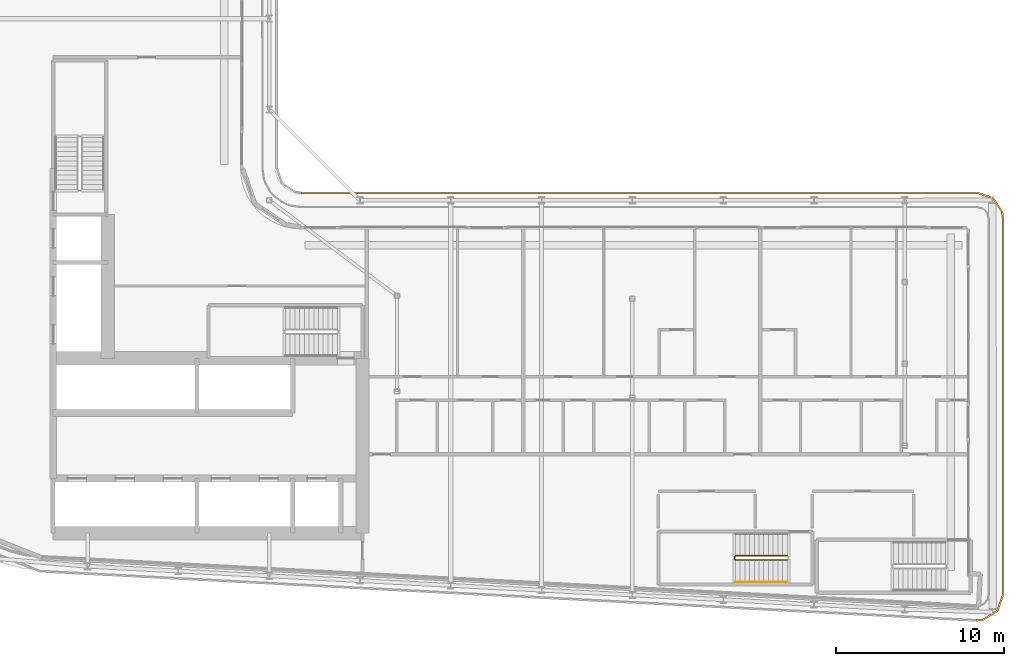
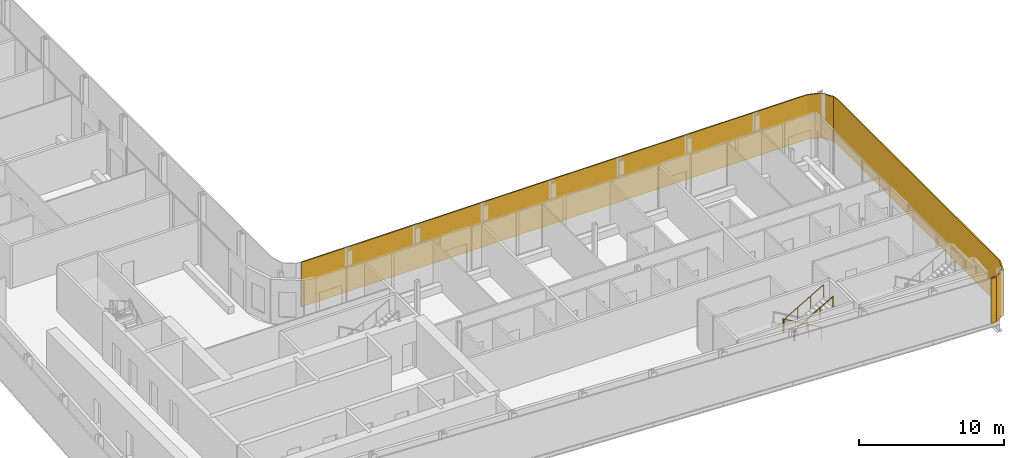
# One storey, part 22 of 26: 2 railings, 1 shading device.
"""IFC4 building model written with IfcOpenShell, lengths in metres."""

import ifcopenshell
import ifcopenshell.guid

model = None  # the IFC model being written
_history = None  # IfcOwnerHistory: only IFC2X3 demands one
_inside = {}  # id of a spatial element -> (the spatial element, [elements in it])
_under = {}  # id of a project, library or spatial element -> (it, [spatial elements below it])
_declared = {}  # id of a project -> (the project, [libraries it declares])
_typed = {}  # id of a type object -> (the type object, [elements of that type])
_made_of = {}  # id of a material, layer set ... -> (it, [elements and type objects made of it])


def new_model(schema):
    """Start an empty IFC model of exactly this schema.

    Asked for "IFC4X3", IfcOpenShell would pick the latest addendum, in which some entities
    have other attributes; the version numbers below select the first issue.
    IFC2X3 requires an IfcOwnerHistory on every rooted entity: one is made here for all.
    """
    global model, _history
    if schema == "IFC4X3":
        model = ifcopenshell.file(schema_version=(4, 3, 0, 0))
    else:
        model = ifcopenshell.file(schema=schema)
    _inside.clear()
    _under.clear()
    _declared.clear()
    _typed.clear()
    _made_of.clear()
    _history = None
    if model.schema == "IFC2X3":
        org = make("IfcOrganization", Name="unknown")
        user = make(
            "IfcPersonAndOrganization",
            ThePerson=make("IfcPerson", FamilyName="unknown"),
            TheOrganization=org,
        )
        app = make(
            "IfcApplication",
            ApplicationDeveloper=org,
            Version="unknown",
            ApplicationFullName="unknown",
            ApplicationIdentifier="unknown",
        )
        _history = make(
            "IfcOwnerHistory",
            OwningUser=user,
            OwningApplication=app,
            ChangeAction="ADDED",
            CreationDate=0,
        )
    return model


def make(cls, **values):
    """One entity of the class cls with the attributes given. An attribute that is None is left unset."""
    return model.create_entity(
        cls, **{name: value for name, value in values.items() if value is not None}
    )


def rooted(cls, **values):
    """An entity with a GlobalId (a new one), such as an element, a storey or a relation."""
    return make(cls, GlobalId=ifcopenshell.guid.new(), OwnerHistory=_history, **values)


def si_unit(unit_type, name, prefix=None):
    """IfcSIUnit, for example si_unit("LENGTHUNIT", "METRE", prefix="MILLI")."""
    return make("IfcSIUnit", UnitType=unit_type, Prefix=prefix, Name=name)


def assignment(units):
    """IfcUnitAssignment: the units of a project."""
    return None if units is None else make("IfcUnitAssignment", Units=units)


def point(xyz):
    """IfcCartesianPoint."""
    return None if xyz is None else make("IfcCartesianPoint", Coordinates=xyz)


def direction(xyz):
    """IfcDirection."""
    return None if xyz is None else make("IfcDirection", DirectionRatios=xyz)


def frame(location, z_axis=None, x_axis=None):
    """IfcAxis2Placement3D, a coordinate frame: its origin and axes. An axis left out is left unset."""
    return make(
        "IfcAxis2Placement3D",
        Location=point(location),
        Axis=direction(z_axis),
        RefDirection=direction(x_axis),
    )


def frame_2d(location, x_axis=None):
    """IfcAxis2Placement2D, a coordinate frame in the plane: its origin and x axis."""
    return make(
        "IfcAxis2Placement2D", Location=point(location), RefDirection=direction(x_axis)
    )


def origin():
    """The frame at (0, 0, 0) with its axes left unset."""
    return frame((0.0, 0.0, 0.0))


def origin_2d():
    """The frame at (0, 0) in the plane with its x axis left unset."""
    return frame_2d((0.0, 0.0))


def place(relative_to, where):
    """IfcLocalPlacement: puts the frame where relative to a parent placement (None: the world)."""
    return make(
        "IfcLocalPlacement", PlacementRelTo=relative_to, RelativePlacement=where
    )


def context(
    kind, dimensions, precision=None, world=None, true_north=None, identifier=None
):
    """IfcGeometricRepresentationContext, for example the 3D "Model" context."""
    return make(
        "IfcGeometricRepresentationContext",
        ContextIdentifier=identifier,
        ContextType=kind,
        CoordinateSpaceDimension=dimensions,
        Precision=precision,
        WorldCoordinateSystem=world,
        TrueNorth=true_north,
    )


def subcontext(parent, identifier, kind, view, scale=None):
    """IfcGeometricRepresentationSubContext, for example "Body" below "Model"."""
    return make(
        "IfcGeometricRepresentationSubContext",
        ContextIdentifier=identifier,
        ContextType=kind,
        ParentContext=parent,
        TargetScale=scale,
        TargetView=view,
    )


def project(units=None, contexts=None):
    """IfcProject with its units and contexts."""
    return rooted(
        "IfcProject",
        Name="project",
        RepresentationContexts=contexts,
        UnitsInContext=assignment(units),
    )


def spatial(cls, under=None, at=None, **own):
    """A site, building, storey or space (cls), placed at a placement, below another one or the project."""
    s = rooted(cls, ObjectPlacement=at, **own)
    if under is not None:
        _under.setdefault(under.id(), (under, []))[1].append(s)
    return s


def polyline(points):
    """IfcPolyline through the points."""
    return make("IfcPolyline", Points=[point(p) for p in points])


def profile(cls, at=None, kind="AREA", **sizes):
    """A parametric profile (cls). Its sizes go by their IFC names, for example OverallWidth=200.0."""
    return make(cls, ProfileType=kind, Position=at, **sizes)


def circle(**sizes):
    """IfcCircleProfileDef."""
    return profile("IfcCircleProfileDef", **sizes)


def outline(outer, holes=None, kind="AREA"):
    """IfcArbitraryClosedProfileDef: a profile drawn as a closed curve; with holes, ...WithVoids."""
    if holes is None:
        return make("IfcArbitraryClosedProfileDef", ProfileType=kind, OuterCurve=outer)
    return make(
        "IfcArbitraryProfileDefWithVoids",
        ProfileType=kind,
        OuterCurve=outer,
        InnerCurves=holes,
    )


def extrude(swept, where, along, depth):
    """IfcExtrudedAreaSolid: the profile swept, set in the frame where, extruded along a direction by depth."""
    return make(
        "IfcExtrudedAreaSolid",
        SweptArea=swept,
        Position=where,
        ExtrudedDirection=direction(along),
        Depth=depth,
    )


def shape(context_of_items, identifier, shape_type, items):
    """IfcShapeRepresentation: the items that make up one representation, for example the "Body"."""
    return make(
        "IfcShapeRepresentation",
        ContextOfItems=context_of_items,
        RepresentationIdentifier=identifier,
        RepresentationType=shape_type,
        Items=items,
    )


def material(Name=None, Category=None):
    """IfcMaterial."""
    return make("IfcMaterial", Name=Name, Category=Category)


def layer(
    of_material, thickness, ventilated=None, Name=None, Category=None, Priority=None
):
    """IfcMaterialLayer: one layer of a wall or slab, of a material (None: an air gap)."""
    return make(
        "IfcMaterialLayer",
        Material=of_material,
        LayerThickness=thickness,
        IsVentilated=ventilated,
        Name=Name,
        Category=Category,
        Priority=Priority,
    )


def layer_set(layers, Name=None):
    """IfcMaterialLayerSet."""
    return make("IfcMaterialLayerSet", MaterialLayers=layers, LayerSetName=Name)


def made_of(thing, what):
    """Note that an element or type object is made of a material, layer set ...; save() writes the relation."""
    if what is not None:
        _made_of.setdefault(what.id(), (what, []))[1].append(thing)
    return thing


def type_object(cls, material=None, **own):
    """A type object (cls), such as IfcWallType, which elements share."""
    return made_of(rooted(cls, **own), material)


def element(
    cls,
    number,
    at=None,
    inside=None,
    cuts=None,
    type_object=None,
    material=None,
    context=None,
    identifier="Body",
    shape_type=None,
    held_by="IfcProductDefinitionShape",
    body=None,
    shapes=None,
    **own,
):
    """One element of the class cls, such as IfcWall. Its Tag is "e" and its number.

    at: its placement. inside: the storey or other place that contains it. cuts: it is an
    opening in that element (IfcRelVoidsElement). A single representation is given by context,
    identifier, shape_type and body (its items); several are given by shapes. held_by: the class
    of the entity that holds the representations. save() writes the other relations.
    """
    e = rooted(cls, Tag="e%d" % number, ObjectPlacement=at, **own)
    if body is not None:
        shapes = [shape(context, identifier, shape_type, body)]
    if shapes is not None:
        e.Representation = make(held_by, Representations=shapes)
    if inside is not None:
        _inside.setdefault(inside.id(), (inside, []))[1].append(e)
    if cuts is not None:
        rooted(
            "IfcRelVoidsElement", RelatingBuildingElement=cuts, RelatedOpeningElement=e
        )
    if type_object is not None:
        _typed.setdefault(type_object.id(), (type_object, []))[1].append(e)
    return made_of(e, material)


def aggregate(whole, parts):
    """IfcRelAggregates: a whole, such as a stair, and the parts it consists of."""
    return rooted("IfcRelAggregates", RelatingObject=whole, RelatedObjects=parts)


def save(model, path):
    """Write the relations noted so far, then the file.

    IfcRelAggregates (storeys below a building ...), IfcRelContainedInSpatialStructure (elements
    in a storey), IfcRelDefinesByType, IfcRelAssociatesMaterial and IfcRelDeclares: one each for
    every whole, place, type object, material and project.
    """
    for whole, parts in _under.values():
        aggregate(whole, parts)
    for where, things in _inside.values():
        rooted(
            "IfcRelContainedInSpatialStructure",
            RelatedElements=things,
            RelatingStructure=where,
        )
    for kind, things in _typed.values():
        rooted("IfcRelDefinesByType", RelatedObjects=things, RelatingType=kind)
    for what, things in _made_of.values():
        rooted("IfcRelAssociatesMaterial", RelatedObjects=things, RelatingMaterial=what)
    for by, libraries in _declared.values():
        rooted("IfcRelDeclares", RelatingContext=by, RelatedDefinitions=libraries)
    model.write(path)


model = new_model("IFC4")

# Units and contexts
model_context = context("Model", 3, precision=1e-05, world=origin(), true_north=direction((0.0, 1.0)))
body_context = subcontext(model_context, "Body", "Model", "MODEL_VIEW")
ifc_project = project(units=[si_unit("LENGTHUNIT", "METRE"), si_unit("AREAUNIT", "SQUARE_METRE"), si_unit("VOLUMEUNIT", "CUBIC_METRE"), si_unit("PLANEANGLEUNIT", "RADIAN"), si_unit("MASSUNIT", "GRAM", prefix="KILO")], contexts=[model_context])

# Site, building, storey
site_placement = place(None, origin())
site = spatial("IfcSite", under=ifc_project, at=site_placement, CompositionType="ELEMENT")
building_placement = place(site_placement, origin())
building = spatial("IfcBuilding", under=site, at=building_placement, Name="Kheshtan School and Residences Tower", CompositionType="ELEMENT")
storey_placement = place(building_placement, frame((0.0, 0.0, 156.5)))
storey = spatial("IfcBuildingStorey", under=building, at=storey_placement, Name="L36", CompositionType="ELEMENT", Elevation=156.5)

# Shading device
ifc_material_1 = material(Name="Terracotta lattice, extruded ceramic", Category="masonry")
ifc_layer = layer(ifc_material_1, 0.10009765625)
ifc_layer_set = layer_set([ifc_layer], Name="Loggia screen, terracotta lattice")
shading_device_type = type_object("IfcShadingDeviceType", Name="Loggia screen, terracotta lattice", PredefinedType="USERDEFINED", material=ifc_layer_set)
shading_device_placement = place(storey_placement, origin())
element("IfcShadingDevice", 1, at=shading_device_placement, inside=storey, type_object=shading_device_type, Name="Screen L36 2", ObjectType="SCREEN", PredefinedType="USERDEFINED", context=body_context, shape_type="SweptSolid", body=[
    extrude(outline(polyline([(49.5, 46.0), (89.699951171875, 46.0), (90.613037109375, 45.68994140625), (91.14892578125, 44.887939453125), (91.199951171875, 44.5), (91.199951171875, 22.14892578125), (90.8701171875, 21.2099609375), (90.02392578125, 20.68505859375), (89.62109375, 20.652099609375), (89.62890625, 20.552001953125), (90.055908203125, 20.5869140625), (90.952880859375, 21.14404296875), (91.300048828125, 22.132080078125), (91.300048828125, 44.507080078125), (91.2451171875, 44.924072265625), (90.677001953125, 45.77392578125), (89.717041015625, 46.10009765625), (49.5, 46.10009765625), (49.5, 46.0)])), origin(), (0.0, 0.0, 1.0), 3.75),
])

# Railings
ifc_material_2 = material(Name="Stainless steel balustrade", Category="steel")
railing_type_1 = type_object("IfcRailingType", Name="Stair guard 1100", PredefinedType="GUARDRAIL", material=ifc_material_2)
railing_1_placement = place(storey_placement, frame((78.409912109375, 24.449951171875, 0.16259765625)))
element("IfcRailing", 2, at=railing_1_placement, inside=storey, type_object=railing_type_1, Name="L36 ST5 stair guard 1", PredefinedType="GUARDRAIL", context=body_context, shape_type="SweptSolid", body=[
    extrude(circle(Radius=0.02392578125, at=origin_2d()), frame((0.0, 0.0, 1.076171875), z_axis=(-0.864903211148, 0.0, 0.501938676878), x_axis=(0.0, -1.0, 0.0)), (0.0, 0.0, 1.0), 3.560791015625),
    extrude(circle(Radius=0.02392578125, at=origin_2d()), frame((-3.079833984375, 0.0, 2.86328125), z_axis=(-0.707106781187, -0.707106781187, 0.0), x_axis=(0.707106781187, -0.707106781187, 0.0)), (0.0, 0.0, 1.0), 0.07080078125),
    extrude(circle(Radius=0.02392578125, at=origin_2d()), frame((-3.1298828125, -0.050048828125, 2.86328125), z_axis=(0.0, -1.0, 0.0), x_axis=(1.0, 0.0, 0.0)), (0.0, 0.0, 1.0), 0.14990234375),
    extrude(circle(Radius=0.02392578125, at=origin_2d()), frame((-3.1298828125, -0.199951171875, 2.86328125), z_axis=(0.282227285176, -0.282227285176, 0.916894497205), x_axis=(0.707106781187, 0.707106781187, 0.0)), (0.0, 0.0, 1.0), 0.17724609375),
    extrude(circle(Radius=0.02392578125, at=origin_2d()), frame((-3.079833984375, -0.25, 3.02587890625), z_axis=(0.864903211148, 0.0, 0.501938676878), x_axis=(0.0, 1.0, 0.0)), (0.0, 0.0, 1.0), 3.560791015625),
    extrude(circle(Radius=0.02099609375, at=origin_2d()), origin(), (0.0, 0.0, 1.0), 1.052001953125),
    extrude(circle(Radius=0.02099609375, at=origin_2d()), frame((-1.026611328125, 0.0, 0.595703125)), (0.0, 0.0, 1.0), 1.052001953125),
    extrude(circle(Radius=0.02099609375, at=origin_2d()), frame((-2.05322265625, 0.0, 1.191650390625)), (0.0, 0.0, 1.0), 1.052001953125),
    extrude(circle(Radius=0.02099609375, at=origin_2d()), frame((-3.079833984375, 0.0, 1.787353515625)), (0.0, 0.0, 1.0), 1.052001953125),
    extrude(circle(Radius=0.02099609375, at=origin_2d()), frame((-3.1298828125, -0.050048828125, 1.787353515625)), (0.0, 0.0, 1.0), 1.052001953125),
    extrude(circle(Radius=0.02099609375, at=origin_2d()), frame((-3.1298828125, -0.199951171875, 1.787353515625)), (0.0, 0.0, 1.0), 1.052001953125),
    extrude(circle(Radius=0.02099609375, at=origin_2d()), frame((-3.079833984375, -0.25, 1.949951171875)), (0.0, 0.0, 1.0), 1.052001953125),
    extrude(circle(Radius=0.02099609375, at=origin_2d()), frame((-2.05322265625, -0.25, 2.545654296875)), (0.0, 0.0, 1.0), 1.052001953125),
    extrude(circle(Radius=0.02099609375, at=origin_2d()), frame((-1.026611328125, -0.25, 3.1416015625)), (0.0, 0.0, 1.0), 1.052001953125),
    extrude(circle(Radius=0.02099609375, at=origin_2d()), frame((0.0, -0.25, 3.7373046875)), (0.0, 0.0, 1.0), 1.052001953125),
])
ifc_material_3 = material(Name="Stainless steel handrail", Category="steel")
railing_type_2 = type_object("IfcRailingType", Name="Stair handrail 900", PredefinedType="HANDRAIL", material=ifc_material_3)
railing_2_placement = place(storey_placement, frame((75.330078125, 22.89990234375, 2.112548828125)))
element("IfcRailing", 3, at=railing_2_placement, inside=storey, type_object=railing_type_2, Name="L36 ST5 stair handrail 2", PredefinedType="HANDRAIL", context=body_context, shape_type="SweptSolid", body=[
    extrude(circle(Radius=0.02392578125, at=origin_2d()), frame((0.0, 0.0, 0.8759765625), z_axis=(0.864903211148, 0.0, 0.501938676878), x_axis=(0.0, 1.0, 0.0)), (0.0, 0.0, 1.0), 3.560791015625),
    extrude(circle(Radius=0.02099609375, at=origin_2d()), origin(), (0.0, 0.0, 1.0), 0.851806640625),
    extrude(circle(Radius=0.02099609375, at=origin_2d()), frame((1.026611328125, 0.0, 0.595703125)), (0.0, 0.0, 1.0), 0.851806640625),
    extrude(circle(Radius=0.02099609375, at=origin_2d()), frame((2.05322265625, 0.0, 1.191650390625)), (0.0, 0.0, 1.0), 0.851806640625),
    extrude(circle(Radius=0.02099609375, at=origin_2d()), frame((3.079833984375, 0.0, 1.787353515625)), (0.0, 0.0, 1.0), 0.851806640625),
])

save(model, "model.ifc")
